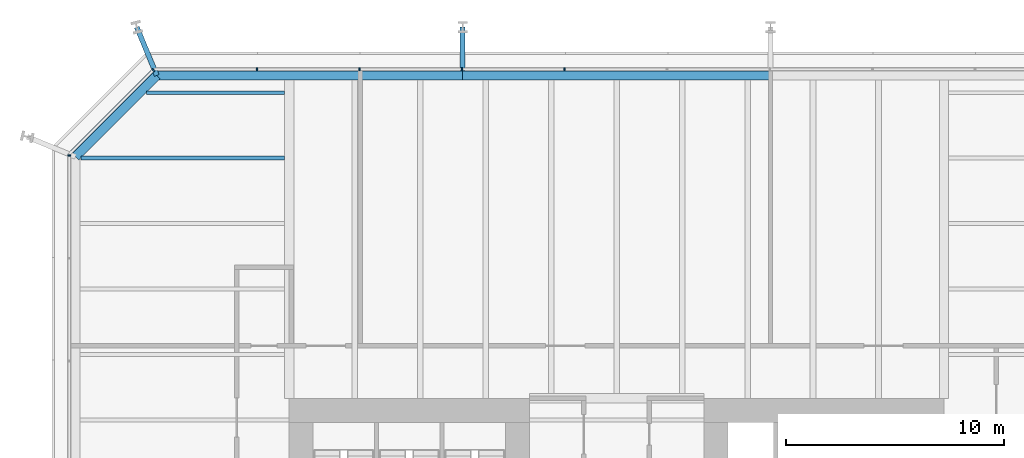
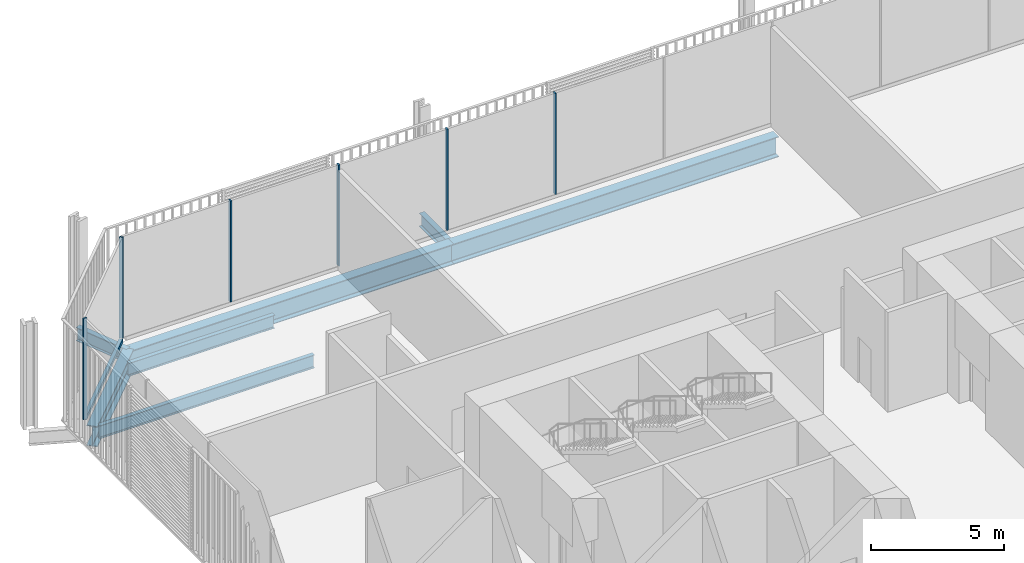
# One storey, part 14 of 22: 7 beams, 7 members, 3 elements without a shape of their own.
"""IFC4 building model written with IfcOpenShell, lengths in metres."""

from ifc_helpers import new_model, si_unit, direction, frame, origin, origin_2d, place, context, subcontext, project, spatial, rectangle, i_section, extrude, material, layer, layer_set, material_profile, profile_set, type_object, element, aggregate, save


model = new_model("IFC4")

# Units and contexts
model_context = context("Model", 3, precision=1e-05, world=origin(), true_north=direction((0.0, 1.0)))
body_context = subcontext(model_context, "Body", "Model", "MODEL_VIEW")
ifc_project = project(units=[si_unit("LENGTHUNIT", "METRE"), si_unit("AREAUNIT", "SQUARE_METRE"), si_unit("VOLUMEUNIT", "CUBIC_METRE"), si_unit("PLANEANGLEUNIT", "RADIAN"), si_unit("MASSUNIT", "GRAM", prefix="KILO")], contexts=[model_context])

# Site, building, storey
site_placement = place(None, origin())
site = spatial("IfcSite", under=ifc_project, at=site_placement, CompositionType="ELEMENT")
building_placement = place(site_placement, origin())
building = spatial("IfcBuilding", under=site, at=building_placement, Name="Millrace Tower", CompositionType="ELEMENT")
storey_placement = place(building_placement, frame((0.0, 0.0, 49.699951171875)))
storey = spatial("IfcBuildingStorey", under=building, at=storey_placement, Name="L11", CompositionType="ELEMENT", Elevation=49.699951171875)

# Curtain wall, members
ifc_material_1 = material(Name="Aluminium and glass", Category="aluminium")
ifc_layer = layer(ifc_material_1, 0.14990234375)
ifc_layer_set = layer_set([ifc_layer], Name="Aluminium and glass")
curtain_wall_type = type_object("IfcCurtainWallType", Name="CW-2 data hall insulated curtain wall", PredefinedType="NOTDEFINED", material=ifc_layer_set)
placement = place(storey_placement, origin())
curtain_wall_1 = element("IfcCurtainWall", 1, at=placement, inside=storey, type_object=curtain_wall_type, Name="Curtain wall A-F06 L11", PredefinedType="NOTDEFINED")
ifc_material_2 = material(Name="Aluminium", Category="aluminium")
ifc_material_profile_1 = material_profile(ifc_material_2, rectangle(XDim=0.06494140625, YDim=0.14990234375, at=origin_2d()))
ifc_profile_set_1 = profile_set([ifc_material_profile_1], Name="Aluminium")
member_type_1 = type_object("IfcMemberType", Name="CW-2 data hall insulated curtain wall mullion", PredefinedType="MULLION", material=ifc_profile_set_1)
member_1_placement = place(storey_placement, frame((-2.382568359375, 25.074951171875, 0.16015625), z_axis=(0.0, 0.0, 1.0), x_axis=(-1.0, 0.0, 0.0)))
member_1 = element("IfcMember", 2, at=member_1_placement, type_object=member_type_1, Name="CW2 mullion A-F06.6", PredefinedType="MULLION", context=body_context, shape_type="SweptSolid", body=[
    extrude(rectangle(XDim=0.06494140625, YDim=0.14990234375, at=origin_2d()), origin(), (0.0, 0.0, 1.0), 4.639892578125),
])
member_2_placement = place(storey_placement, frame((-7.08251953125, 25.074951171875, 0.16015625), z_axis=(0.0, 0.0, 1.0), x_axis=(-1.0, 0.0, 0.0)))
member_2 = element("IfcMember", 3, at=member_2_placement, type_object=member_type_1, Name="CW2 mullion A-F06.7", PredefinedType="MULLION", context=body_context, shape_type="SweptSolid", body=[
    extrude(rectangle(XDim=0.06494140625, YDim=0.14990234375, at=origin_2d()), origin(), (0.0, 0.0, 1.0), 4.639892578125),
])
member_3_placement = place(storey_placement, frame((-11.782470703125, 25.074951171875, 0.16015625), z_axis=(0.0, 0.0, 1.0), x_axis=(-1.0, 0.0, 0.0)))
member_3 = element("IfcMember", 4, at=member_3_placement, type_object=member_type_1, Name="CW2 mullion A-F06.8", PredefinedType="MULLION", context=body_context, shape_type="SweptSolid", body=[
    extrude(rectangle(XDim=0.06494140625, YDim=0.14990234375, at=origin_2d()), origin(), (0.0, 0.0, 1.0), 4.639892578125),
])
member_4_placement = place(storey_placement, frame((-16.482421875, 25.074951171875, 0.16015625), z_axis=(0.0, 0.0, 1.0), x_axis=(-1.0, 0.0, 0.0)))
member_4 = element("IfcMember", 5, at=member_4_placement, type_object=member_type_1, Name="CW2 mullion A-F06.9", PredefinedType="MULLION", context=body_context, shape_type="SweptSolid", body=[
    extrude(rectangle(XDim=0.06494140625, YDim=0.14990234375, at=origin_2d()), origin(), (0.0, 0.0, 1.0), 4.639892578125),
])
aggregate(curtain_wall_1, [member_1, member_2, member_3, member_4])

# Curtain wall, member
curtain_wall_2 = element("IfcCurtainWall", 6, at=placement, inside=storey, type_object=curtain_wall_type, Name="Curtain wall A-F07 L11", PredefinedType="NOTDEFINED")
member_5_placement = place(storey_placement, frame((-21.22607421875, 25.030029296875, 0.16015625), z_axis=(0.0, 0.0, 1.0), x_axis=(-0.707106781187, -0.707106781187, 0.0)))
member_5 = element("IfcMember", 7, at=member_5_placement, type_object=member_type_1, Name="CW2 mullion A-F07.1", PredefinedType="MULLION", context=body_context, shape_type="SweptSolid", body=[
    extrude(rectangle(XDim=0.06494140625, YDim=0.14990234375, at=origin_2d()), origin(), (0.0, 0.0, 1.0), 4.639892578125),
])

curtain_wall_3 = element("IfcCurtainWall", 8, at=placement, inside=storey, type_object=curtain_wall_type, Name="Curtain wall A-F08 L11", PredefinedType="NOTDEFINED")
member_6_placement = place(storey_placement, frame((-25.074951171875, 21.117431640625, 0.16015625), z_axis=(0.0, 0.0, 1.0), x_axis=(0.0, -1.0, 0.0)))
member_6 = element("IfcMember", 9, at=member_6_placement, type_object=member_type_1, Name="CW2 mullion A-F08.1", PredefinedType="MULLION", context=body_context, shape_type="SweptSolid", body=[
    extrude(rectangle(XDim=0.06494140625, YDim=0.14990234375, at=origin_2d()), origin(), (0.0, 0.0, 1.0), 4.639892578125),
])
aggregate(curtain_wall_3, [member_6])

# Member
ifc_material_3 = material(Name="Aluminium", Category="aluminium")
ifc_material_profile_2 = material_profile(ifc_material_3, rectangle(XDim=0.14990234375, YDim=0.159912109375, at=origin_2d()))
ifc_profile_set_2 = profile_set([ifc_material_profile_2], Name="Aluminium")
member_type_2 = type_object("IfcMemberType", Name="CW-2 data hall insulated curtain wall transom", PredefinedType="USERDEFINED", material=ifc_profile_set_2)
member_7_placement = place(storey_placement, frame((-21.273681640625, 24.982421875, 0.080078125), z_axis=(-0.707106781187, -0.707106781187, 0.0), x_axis=(0.707106781187, -0.707106781187, 0.0)))
member_7 = element("IfcMember", 10, at=member_7_placement, type_object=member_type_2, Name="CW2 transom A-F07.1", ObjectType="TRANSOM", PredefinedType="USERDEFINED", context=body_context, shape_type="SweptSolid", body=[
    extrude(rectangle(XDim=0.14990234375, YDim=0.159912109375, at=origin_2d()), origin(), (0.0, 0.0, 1.0), 5.244873046875),
])

aggregate(curtain_wall_2, [member_5, member_7])

# Beams
ifc_material_4 = material(Name="Steel ASTM A992 Grade 50", Category="steel")
ifc_material_profile_3 = material_profile(ifc_material_4, i_section(OverallWidth=0.177978515625, OverallDepth=0.599365234375, WebThickness=0.010009765625, FlangeThickness=0.012939453125, FilletRadius=0.012939453125, at=origin_2d()))
ifc_profile_set_3 = profile_set([ifc_material_profile_3], Name="Steel ASTM A992 Grade 50")
beam_type_1 = type_object("IfcBeamType", Name="Floor beam W24x55", PredefinedType="JOIST", material=ifc_profile_set_3)
beam_1_placement = place(storey_placement, frame((-21.52978515625, 24.0, -0.524658203125), z_axis=(1.0, 0.0, 0.0), x_axis=(0.0, 1.0, 0.0)))
element("IfcBeam", 11, at=beam_1_placement, inside=storey, type_object=beam_type_1, Name="BM-A-L11-S1-S040", PredefinedType="JOIST", context=body_context, shape_type="SweptSolid", body=[
    extrude(i_section(OverallWidth=0.177978515625, OverallDepth=0.599365234375, WebThickness=0.010009765625, FlangeThickness=0.012939453125, FilletRadius=0.012939453125, at=origin_2d()), origin(), (0.0, 0.0, 1.0), 6.317626953125),
])
ifc_material_5 = material(Name="Steel ASTM A992 Grade 50", Category="steel")
ifc_material_profile_4 = material_profile(ifc_material_5, i_section(OverallWidth=0.1787109375, OverallDepth=0.60205078125, WebThickness=0.010986328125, FlangeThickness=0.014892578125, FilletRadius=0.0126953125, at=origin_2d()))
ifc_profile_set_4 = profile_set([ifc_material_profile_4], Name="Steel ASTM A992 Grade 50")
beam_type_2 = type_object("IfcBeamType", Name="Floor beam W24x62", PredefinedType="JOIST", material=ifc_profile_set_4)
beam_2_placement = place(storey_placement, frame((-24.52978515625, 21.0, -0.52587890625), z_axis=(1.0, 0.0, 0.0), x_axis=(0.0, 1.0, 0.0)))
element("IfcBeam", 12, at=beam_2_placement, inside=storey, type_object=beam_type_2, Name="BM-A-L11-S1-S038", PredefinedType="JOIST", context=body_context, shape_type="SweptSolid", body=[
    extrude(i_section(OverallWidth=0.1787109375, OverallDepth=0.60205078125, WebThickness=0.010986328125, FlangeThickness=0.014892578125, FilletRadius=0.0126953125, at=origin_2d()), origin(), (0.0, 0.0, 1.0), 9.317626953125),
])
ifc_material_6 = material(Name="Steel ASTM A992 Grade 50", Category="steel")
ifc_material_profile_5 = material_profile(ifc_material_6, i_section(OverallWidth=0.23046875, OverallDepth=0.6171875, WebThickness=0.01318359375, FlangeThickness=0.022216796875, FilletRadius=0.012939453125, at=origin_2d()))
ifc_profile_set_5 = profile_set([ifc_material_profile_5], Name="Steel ASTM A992 Grade 50")
beam_type_3 = type_object("IfcBeamType", Name="Link beam W24x94", PredefinedType="BEAM", material=ifc_profile_set_5)
beam_3_placement = place(storey_placement, frame((-21.062744140625, 24.7890625, -0.533447265625), z_axis=(-0.382673155247, 0.923883789366, 0.0), x_axis=(-0.923883789366, -0.382673155247, 0.0)))
element("IfcBeam", 13, at=beam_3_placement, inside=storey, type_object=beam_type_3, Name="LNK-A-L11-S1-05", PredefinedType="BEAM", context=body_context, shape_type="SweptSolid", body=[
    extrude(i_section(OverallWidth=0.23046875, OverallDepth=0.6171875, WebThickness=0.01318359375, FlangeThickness=0.022216796875, FilletRadius=0.012939453125, at=origin_2d()), origin(), (0.0, 0.0, 1.0), 2.39306640625),
])
beam_4_placement = place(storey_placement, frame((-7.050048828125, 25.0, -0.533447265625), z_axis=(0.0, 1.0, 0.0), x_axis=(-1.0, 0.0, 0.0)))
element("IfcBeam", 14, at=beam_4_placement, inside=storey, type_object=beam_type_3, Name="LNK-A-L11-S1-06", PredefinedType="BEAM", context=body_context, shape_type="SweptSolid", body=[
    extrude(i_section(OverallWidth=0.23046875, OverallDepth=0.6171875, WebThickness=0.01318359375, FlangeThickness=0.022216796875, FilletRadius=0.012939453125, at=origin_2d()), origin(), (0.0, 0.0, 1.0), 2.0),
])
ifc_material_7 = material(Name="Steel ASTM A992 Grade 50", Category="steel")
ifc_material_profile_6 = material_profile(ifc_material_7, i_section(OverallWidth=0.421630859375, OverallDepth=0.937255859375, WebThickness=0.021240234375, FlangeThickness=0.03662109375, FilletRadius=0.024169921875, at=origin_2d()))
ifc_profile_set_6 = profile_set([ifc_material_profile_6], Name="Steel ASTM A992 Grade 50")
beam_type_4 = type_object("IfcBeamType", Name="Ring beam medium span W36x262", PredefinedType="SPANDREL", material=ifc_profile_set_6)
beam_5_placement = place(storey_placement, frame((-21.062744140625, 24.7890625, -0.693603515625), z_axis=(1.0, 0.0, 0.0), x_axis=(0.0, 1.0, 0.0)))
element("IfcBeam", 15, at=beam_5_placement, inside=storey, type_object=beam_type_4, Name="RNG-A-L11-S1-05", PredefinedType="SPANDREL", context=body_context, shape_type="SweptSolid", body=[
    extrude(i_section(OverallWidth=0.421630859375, OverallDepth=0.937255859375, WebThickness=0.021240234375, FlangeThickness=0.03662109375, FilletRadius=0.024169921875, at=origin_2d()), origin(), (0.0, 0.0, 1.0), 14.0126953125),
])
beam_6_placement = place(storey_placement, frame((-7.050048828125, 24.7890625, -0.693603515625), z_axis=(1.0, 0.0, 0.0), x_axis=(0.0, 1.0, 0.0)))
element("IfcBeam", 16, at=beam_6_placement, inside=storey, type_object=beam_type_4, Name="RNG-A-L11-S1-06", PredefinedType="SPANDREL", context=body_context, shape_type="SweptSolid", body=[
    extrude(i_section(OverallWidth=0.421630859375, OverallDepth=0.937255859375, WebThickness=0.021240234375, FlangeThickness=0.03662109375, FilletRadius=0.024169921875, at=origin_2d()), origin(), (0.0, 0.0, 1.0), 14.10009765625),
])
ifc_material_8 = material(Name="Steel ASTM A992 Grade 50", Category="steel")
ifc_material_profile_7 = material_profile(ifc_material_8, i_section(OverallWidth=0.421630859375, OverallDepth=0.937255859375, WebThickness=0.021240234375, FlangeThickness=0.03662109375, FilletRadius=0.024169921875, at=origin_2d()))
ifc_profile_set_7 = profile_set([ifc_material_profile_7], Name="Steel ASTM A992 Grade 50")
beam_type_5 = type_object("IfcBeamType", Name="Ring beam short span W36x262", PredefinedType="SPANDREL", material=ifc_profile_set_7)
beam_7_placement = place(storey_placement, frame((-24.7890625, 21.062744140625, -0.693603515625), z_axis=(0.707106781187, 0.707106781187, 0.0), x_axis=(-0.707106781187, 0.707106781187, 0.0)))
element("IfcBeam", 17, at=beam_7_placement, inside=storey, type_object=beam_type_5, Name="RNG-A-L11-S1-04", PredefinedType="SPANDREL", context=body_context, shape_type="SweptSolid", body=[
    extrude(i_section(OverallWidth=0.421630859375, OverallDepth=0.937255859375, WebThickness=0.021240234375, FlangeThickness=0.03662109375, FilletRadius=0.024169921875, at=origin_2d()), origin(), (0.0, 0.0, 1.0), 5.269775390625),
])

save(model, "model.ifc")
